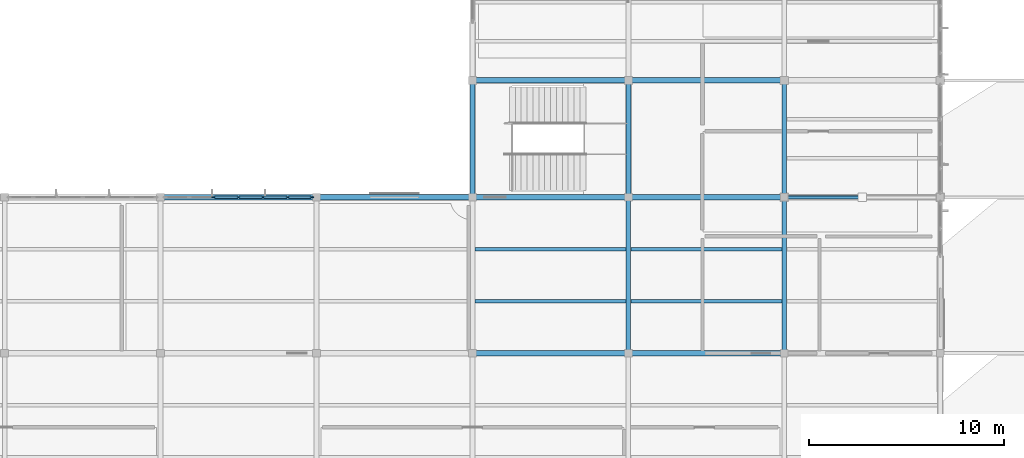
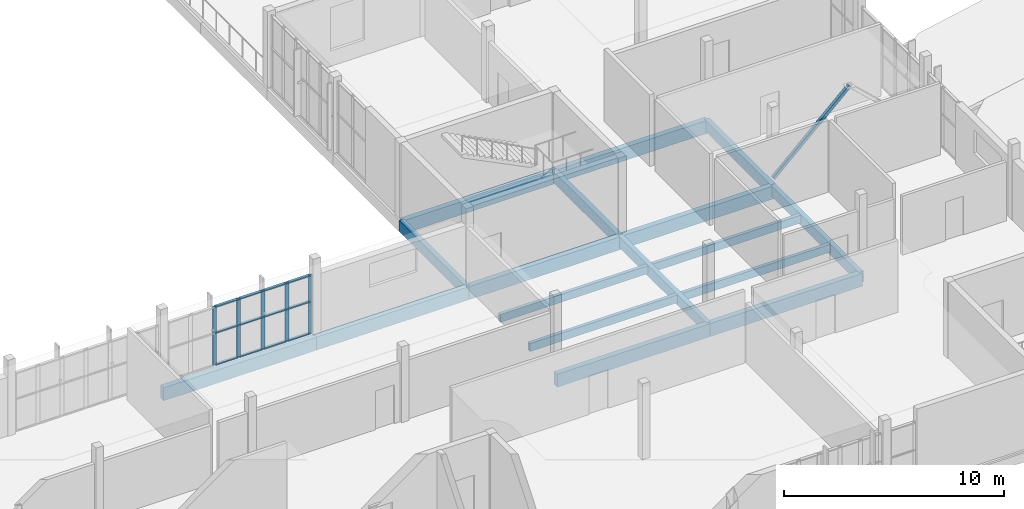
# One storey, part 15 of 45: 18 members, 17 beams, 1 element without a shape of its own.
"""IFC4 building model written with IfcOpenShell, lengths in metres."""

from ifc_helpers import new_model, si_unit, direction, frame, origin, origin_2d, place, context, subcontext, project, spatial, rectangle, hollow_rectangle, extrude, material, layer, layer_set, material_profile, profile_set, type_object, element, aggregate, save


model = new_model("IFC4")

# Units and contexts
model_context = context("Model", 3, precision=1e-05, world=origin(), true_north=direction((0.0, 1.0)))
body_context = subcontext(model_context, "Body", "Model", "MODEL_VIEW")
ifc_project = project(units=[si_unit("LENGTHUNIT", "METRE"), si_unit("AREAUNIT", "SQUARE_METRE"), si_unit("VOLUMEUNIT", "CUBIC_METRE"), si_unit("PLANEANGLEUNIT", "RADIAN"), si_unit("MASSUNIT", "GRAM", prefix="KILO")], contexts=[model_context])

# Site, building, storey
site_placement = place(None, origin())
site = spatial("IfcSite", under=ifc_project, at=site_placement, CompositionType="ELEMENT")
building_placement = place(site_placement, origin())
building = spatial("IfcBuilding", under=site, at=building_placement, Name="Solvane Community Centre", CompositionType="ELEMENT")
storey_placement = place(building_placement, frame((0.0, 0.0, 13.800048828125)))
storey = spatial("IfcBuildingStorey", under=building, at=storey_placement, Name="L03", CompositionType="ELEMENT", Elevation=13.800048828125)

# Curtain wall, members
ifc_material_1 = material(Name="Anodised bronze aluminium AW-6063 T6", Category="aluminium")
ifc_layer = layer(ifc_material_1, 0.199951171875)
ifc_layer_set = layer_set([ifc_layer], Name="Anodised bronze aluminium AW-6063 T6")
curtain_wall_type = type_object("IfcCurtainWallType", Name="Courtyard Cloister Curtain Wall [76x33dm]", PredefinedType="NOTDEFINED", material=ifc_layer_set)
curtain_wall_placement = place(storey_placement, origin())
curtain_wall = element("IfcCurtainWall", 1, at=curtain_wall_placement, inside=storey, type_object=curtain_wall_type, Name="Curtain Wall CW-L03-1002_300-224", PredefinedType="NOTDEFINED")
ifc_material_profile_1 = material_profile(ifc_material_1, rectangle(XDim=0.06005859375, YDim=0.199951171875, at=origin_2d()), Name="CW-M 60x200")
ifc_profile_set_1 = profile_set([ifc_material_profile_1], Name="Anodised bronze aluminium AW-6063 T6")
member_type_1 = type_object("IfcMemberType", Name="Cloister Mullion 60x200", PredefinedType="MULLION", material=ifc_profile_set_1)
member_1_placement = place(storey_placement, frame((102.73828125, 30.0, 0.0), z_axis=(0.0, 0.0, 1.0), x_axis=(0.0, 1.0, 0.0)))
member_1 = element("IfcMember", 2, at=member_1_placement, type_object=member_type_1, Name="CW03-76x33 mullion 3", PredefinedType="MULLION", context=body_context, shape_type="SweptSolid", body=[
    extrude(rectangle(XDim=0.06005859375, YDim=0.199951171875, at=origin_2d()), origin(), (0.0, 0.0, 1.0), 3.264892578125),
])
member_2_placement = place(storey_placement, frame((104.0, 30.0, 0.0), z_axis=(0.0, 0.0, 1.0), x_axis=(0.0, 1.0, 0.0)))
member_2 = element("IfcMember", 3, at=member_2_placement, type_object=member_type_1, Name="CW03-76x33 mullion 4", PredefinedType="MULLION", context=body_context, shape_type="SweptSolid", body=[
    extrude(rectangle(XDim=0.06005859375, YDim=0.199951171875, at=origin_2d()), origin(), (0.0, 0.0, 1.0), 3.264892578125),
])
member_3_placement = place(storey_placement, frame((105.26171875, 30.0, 0.0), z_axis=(0.0, 0.0, 1.0), x_axis=(0.0, 1.0, 0.0)))
member_3 = element("IfcMember", 4, at=member_3_placement, type_object=member_type_1, Name="CW03-76x33 mullion 5", PredefinedType="MULLION", context=body_context, shape_type="SweptSolid", body=[
    extrude(rectangle(XDim=0.06005859375, YDim=0.199951171875, at=origin_2d()), origin(), (0.0, 0.0, 1.0), 3.264892578125),
])
member_4_placement = place(storey_placement, frame((106.5234375, 30.0, 0.0), z_axis=(0.0, 0.0, 1.0), x_axis=(0.0, 1.0, 0.0)))
member_4 = element("IfcMember", 5, at=member_4_placement, type_object=member_type_1, Name="CW03-76x33 mullion 6", PredefinedType="MULLION", context=body_context, shape_type="SweptSolid", body=[
    extrude(rectangle(XDim=0.06005859375, YDim=0.199951171875, at=origin_2d()), origin(), (0.0, 0.0, 1.0), 3.264892578125),
])
member_5_placement = place(storey_placement, frame((107.7548828125, 30.0, 0.0), z_axis=(0.0, 0.0, 1.0), x_axis=(0.0, 1.0, 0.0)))
member_5 = element("IfcMember", 6, at=member_5_placement, type_object=member_type_1, Name="CW03-76x33 mullion 7", PredefinedType="MULLION", context=body_context, shape_type="SweptSolid", body=[
    extrude(rectangle(XDim=0.06005859375, YDim=0.199951171875, at=origin_2d()), origin(), (0.0, 0.0, 1.0), 3.264892578125),
])
ifc_material_profile_2 = material_profile(ifc_material_1, rectangle(XDim=0.139892578125, YDim=0.06005859375, at=origin_2d()), Name="CW-T 60x140")
ifc_profile_set_2 = profile_set([ifc_material_profile_2], Name="Anodised bronze aluminium AW-6063 T6")
member_type_2 = type_object("IfcMemberType", Name="Cloister Transom 60x140", PredefinedType="USERDEFINED", material=ifc_profile_set_2)
member_6_placement = place(storey_placement, frame((102.768310546875, 30.0, 0.030029296875), z_axis=(1.0, 0.0, 0.0), x_axis=(0.0, 1.0, 0.0)))
member_6 = element("IfcMember", 7, at=member_6_placement, type_object=member_type_2, Name="CW03-76x33 transom 3.1", ObjectType="TRANSOM", PredefinedType="USERDEFINED", context=body_context, shape_type="SweptSolid", body=[
    extrude(rectangle(XDim=0.139892578125, YDim=0.06005859375, at=origin_2d()), origin(), (0.0, 0.0, 1.0), 1.20166015625),
])
member_7_placement = place(storey_placement, frame((102.768310546875, 30.0, 1.7958984375), z_axis=(1.0, 0.0, 0.0), x_axis=(0.0, 1.0, 0.0)))
member_7 = element("IfcMember", 8, at=member_7_placement, type_object=member_type_2, Name="CW03-76x33 transom 3.2", ObjectType="TRANSOM", PredefinedType="USERDEFINED", context=body_context, shape_type="SweptSolid", body=[
    extrude(rectangle(XDim=0.139892578125, YDim=0.06005859375, at=origin_2d()), origin(), (0.0, 0.0, 1.0), 1.20166015625),
])
member_8_placement = place(storey_placement, frame((102.768310546875, 30.0, 3.23486328125), z_axis=(1.0, 0.0, 0.0), x_axis=(0.0, 1.0, 0.0)))
member_8 = element("IfcMember", 9, at=member_8_placement, type_object=member_type_2, Name="CW03-76x33 transom 3.3", ObjectType="TRANSOM", PredefinedType="USERDEFINED", context=body_context, shape_type="SweptSolid", body=[
    extrude(rectangle(XDim=0.139892578125, YDim=0.06005859375, at=origin_2d()), origin(), (0.0, 0.0, 1.0), 1.20166015625),
])
member_9_placement = place(storey_placement, frame((104.030029296875, 30.0, 0.030029296875), z_axis=(1.0, 0.0, 0.0), x_axis=(0.0, 1.0, 0.0)))
member_9 = element("IfcMember", 10, at=member_9_placement, type_object=member_type_2, Name="CW03-76x33 transom 4.1", ObjectType="TRANSOM", PredefinedType="USERDEFINED", context=body_context, shape_type="SweptSolid", body=[
    extrude(rectangle(XDim=0.139892578125, YDim=0.06005859375, at=origin_2d()), origin(), (0.0, 0.0, 1.0), 1.20166015625),
])
member_10_placement = place(storey_placement, frame((104.030029296875, 30.0, 1.7958984375), z_axis=(1.0, 0.0, 0.0), x_axis=(0.0, 1.0, 0.0)))
member_10 = element("IfcMember", 11, at=member_10_placement, type_object=member_type_2, Name="CW03-76x33 transom 4.2", ObjectType="TRANSOM", PredefinedType="USERDEFINED", context=body_context, shape_type="SweptSolid", body=[
    extrude(rectangle(XDim=0.139892578125, YDim=0.06005859375, at=origin_2d()), origin(), (0.0, 0.0, 1.0), 1.20166015625),
])
member_11_placement = place(storey_placement, frame((104.030029296875, 30.0, 3.23486328125), z_axis=(1.0, 0.0, 0.0), x_axis=(0.0, 1.0, 0.0)))
member_11 = element("IfcMember", 12, at=member_11_placement, type_object=member_type_2, Name="CW03-76x33 transom 4.3", ObjectType="TRANSOM", PredefinedType="USERDEFINED", context=body_context, shape_type="SweptSolid", body=[
    extrude(rectangle(XDim=0.139892578125, YDim=0.06005859375, at=origin_2d()), origin(), (0.0, 0.0, 1.0), 1.20166015625),
])
member_12_placement = place(storey_placement, frame((105.291748046875, 30.0, 0.030029296875), z_axis=(1.0, 0.0, 0.0), x_axis=(0.0, 1.0, 0.0)))
member_12 = element("IfcMember", 13, at=member_12_placement, type_object=member_type_2, Name="CW03-76x33 transom 5.1", ObjectType="TRANSOM", PredefinedType="USERDEFINED", context=body_context, shape_type="SweptSolid", body=[
    extrude(rectangle(XDim=0.139892578125, YDim=0.06005859375, at=origin_2d()), origin(), (0.0, 0.0, 1.0), 1.20166015625),
])
member_13_placement = place(storey_placement, frame((105.291748046875, 30.0, 1.7958984375), z_axis=(1.0, 0.0, 0.0), x_axis=(0.0, 1.0, 0.0)))
member_13 = element("IfcMember", 14, at=member_13_placement, type_object=member_type_2, Name="CW03-76x33 transom 5.2", ObjectType="TRANSOM", PredefinedType="USERDEFINED", context=body_context, shape_type="SweptSolid", body=[
    extrude(rectangle(XDim=0.139892578125, YDim=0.06005859375, at=origin_2d()), origin(), (0.0, 0.0, 1.0), 1.20166015625),
])
member_14_placement = place(storey_placement, frame((105.291748046875, 30.0, 3.23486328125), z_axis=(1.0, 0.0, 0.0), x_axis=(0.0, 1.0, 0.0)))
member_14 = element("IfcMember", 15, at=member_14_placement, type_object=member_type_2, Name="CW03-76x33 transom 5.3", ObjectType="TRANSOM", PredefinedType="USERDEFINED", context=body_context, shape_type="SweptSolid", body=[
    extrude(rectangle(XDim=0.139892578125, YDim=0.06005859375, at=origin_2d()), origin(), (0.0, 0.0, 1.0), 1.20166015625),
])
member_15_placement = place(storey_placement, frame((106.55322265625, 30.0, 0.030029296875), z_axis=(1.0, 0.0, 0.0), x_axis=(0.0, 1.0, 0.0)))
member_15 = element("IfcMember", 16, at=member_15_placement, type_object=member_type_2, Name="CW03-76x33 transom 6.1", ObjectType="TRANSOM", PredefinedType="USERDEFINED", context=body_context, shape_type="SweptSolid", body=[
    extrude(rectangle(XDim=0.139892578125, YDim=0.06005859375, at=origin_2d()), origin(), (0.0, 0.0, 1.0), 1.171875),
])
member_16_placement = place(storey_placement, frame((106.55322265625, 30.0, 1.7958984375), z_axis=(1.0, 0.0, 0.0), x_axis=(0.0, 1.0, 0.0)))
member_16 = element("IfcMember", 17, at=member_16_placement, type_object=member_type_2, Name="CW03-76x33 transom 6.2", ObjectType="TRANSOM", PredefinedType="USERDEFINED", context=body_context, shape_type="SweptSolid", body=[
    extrude(rectangle(XDim=0.139892578125, YDim=0.06005859375, at=origin_2d()), origin(), (0.0, 0.0, 1.0), 1.171875),
])
member_17_placement = place(storey_placement, frame((106.55322265625, 30.0, 3.23486328125), z_axis=(1.0, 0.0, 0.0), x_axis=(0.0, 1.0, 0.0)))
member_17 = element("IfcMember", 18, at=member_17_placement, type_object=member_type_2, Name="CW03-76x33 transom 6.3", ObjectType="TRANSOM", PredefinedType="USERDEFINED", context=body_context, shape_type="SweptSolid", body=[
    extrude(rectangle(XDim=0.139892578125, YDim=0.06005859375, at=origin_2d()), origin(), (0.0, 0.0, 1.0), 1.171875),
])
aggregate(curtain_wall, [member_1, member_2, member_3, member_4, member_5, member_6, member_7, member_8, member_9, member_10, member_11, member_12, member_13, member_14, member_15, member_16, member_17])

# Beams
ifc_material_2 = material(Name="Glulam GL28h", Category="wood")
ifc_material_profile_3 = material_profile(ifc_material_2, rectangle(XDim=0.25, YDim=0.6201171875, at=origin_2d()), Name="GL28h 250x620")
ifc_profile_set_3 = profile_set([ifc_material_profile_3], Name="Glulam GL28h")
beam_type_1 = type_object("IfcBeamType", Name="Glulam Bay Beam 250x620", PredefinedType="BEAM", material=ifc_profile_set_3)
for number, where, z_axis, x_axis, name in (
    (19, (116.0, 30.0, -0.530029296875), (0.0, 1.0, 0.0), (-1.0, 0.0, 0.0), "Beam BM-L03-1160_300-1160_360"),
    (20, (124.0, 30.0, -0.530029296875), (0.0, 1.0, 0.0), (-1.0, 0.0, 0.0), "Beam BM-L03-1240_300-1240_360"),
    (21, (132.0, 30.0, -0.530029296875), (0.0, 1.0, 0.0), (-1.0, 0.0, 0.0), "Beam BM-L03-1320_300-1320_360"),
):
    element("IfcBeam", number, at=place(storey_placement, frame(where, z_axis=z_axis, x_axis=x_axis)), inside=storey, type_object=beam_type_1, Name=name, PredefinedType="BEAM", context=body_context, shape_type="SweptSolid", body=[
        extrude(rectangle(XDim=0.25, YDim=0.6201171875, at=origin_2d()), origin(), (0.0, 0.0, 1.0), 6.0),
    ])
ifc_material_profile_4 = material_profile(ifc_material_2, rectangle(XDim=0.239990234375, YDim=0.60009765625, at=origin_2d()), Name="GL28h 240x600")
ifc_profile_set_4 = profile_set([ifc_material_profile_4], Name="Glulam GL28h")
beam_type_2 = type_object("IfcBeamType", Name="Glulam Floor Beam 240x600", PredefinedType="BEAM", material=ifc_profile_set_4)
for number, where, z_axis, x_axis, name in (
    (22, (124.0, 22.0, -0.52001953125), (0.0, 1.0, 0.0), (-1.0, 0.0, 0.0), "Beam BM-L03-1240_220-1240_300"),
    (23, (132.0, 22.0, -0.52001953125), (0.0, 1.0, 0.0), (-1.0, 0.0, 0.0), "Beam BM-L03-1320_220-1320_300"),
):
    element("IfcBeam", number, at=place(storey_placement, frame(where, z_axis=z_axis, x_axis=x_axis)), inside=storey, type_object=beam_type_2, Name=name, PredefinedType="BEAM", context=body_context, shape_type="SweptSolid", body=[
        extrude(rectangle(XDim=0.239990234375, YDim=0.60009765625, at=origin_2d()), origin(), (0.0, 0.0, 1.0), 8.0),
    ])
ifc_material_profile_5 = material_profile(ifc_material_2, rectangle(XDim=0.179931640625, YDim=0.43994140625, at=origin_2d()), Name="GL28h 180x440")
ifc_profile_set_5 = profile_set([ifc_material_profile_5], Name="Glulam GL28h")
beam_type_3 = type_object("IfcBeamType", Name="Glulam Floor Joist 180x440", PredefinedType="JOIST", material=ifc_profile_set_5)
for number, where, z_axis, x_axis, name in (
    (24, (116.1298828125, 24.666748046875, -0.43994140625), (1.0, 0.0, 0.0), (0.0, 1.0, 0.0), "Beam BM-L03-1161_247-1239_247"),
    (25, (116.1298828125, 27.333251953125, -0.43994140625), (1.0, 0.0, 0.0), (0.0, 1.0, 0.0), "Beam BM-L03-1161_273-1239_273"),
    (26, (124.1298828125, 24.666748046875, -0.43994140625), (1.0, 0.0, 0.0), (0.0, 1.0, 0.0), "Beam BM-L03-1241_247-1319_247"),
    (27, (124.1298828125, 27.333251953125, -0.43994140625), (1.0, 0.0, 0.0), (0.0, 1.0, 0.0), "Beam BM-L03-1241_273-1319_273"),
):
    element("IfcBeam", number, at=place(storey_placement, frame(where, z_axis=z_axis, x_axis=x_axis)), inside=storey, type_object=beam_type_3, Name=name, PredefinedType="JOIST", context=body_context, shape_type="SweptSolid", body=[
        extrude(rectangle(XDim=0.179931640625, YDim=0.43994140625, at=origin_2d()), origin(), (0.0, 0.0, 1.0), 7.740234375),
    ])
ifc_material_profile_6 = material_profile(ifc_material_2, rectangle(XDim=0.280029296875, YDim=0.719970703125, at=origin_2d()), Name="GL28h 280x720")
ifc_profile_set_6 = profile_set([ifc_material_profile_6], Name="Glulam GL28h")
beam_type_4 = type_object("IfcBeamType", Name="Glulam Long-Span Girder 280x720", PredefinedType="USERDEFINED", material=ifc_profile_set_6)
for number, where, z_axis, x_axis, name in (
    (28, (116.0, 22.0, -0.580078125), (1.0, 0.0, 0.0), (0.0, 1.0, 0.0), "Beam BM-L03-1160_220-1240_220"),
    (29, (124.0, 22.0, -0.580078125), (1.0, 0.0, 0.0), (0.0, 1.0, 0.0), "Beam BM-L03-1240_220-1320_220"),
    (30, (100.0, 30.0, -0.580078125), (1.0, 0.0, 0.0), (0.0, 1.0, 0.0), "Beam BM-L03-1000_300-1080_300"),
    (31, (108.0, 30.0, -0.580078125), (1.0, 0.0, 0.0), (0.0, 1.0, 0.0), "Beam BM-L03-1080_300-1160_300"),
    (32, (116.0, 30.0, -0.580078125), (1.0, 0.0, 0.0), (0.0, 1.0, 0.0), "Beam BM-L03-1160_300-1240_300"),
    (33, (124.0, 30.0, -0.580078125), (1.0, 0.0, 0.0), (0.0, 1.0, 0.0), "Beam BM-L03-1240_300-1320_300"),
    (34, (116.0, 36.0, -0.580078125), (1.0, 0.0, 0.0), (0.0, 1.0, 0.0), "Beam BM-L03-1160_360-1240_360"),
    (35, (124.0, 36.0, -0.580078125), (1.0, 0.0, 0.0), (0.0, 1.0, 0.0), "Beam BM-L03-1240_360-1320_360"),
):
    element("IfcBeam", number, at=place(storey_placement, frame(where, z_axis=z_axis, x_axis=x_axis)), inside=storey, type_object=beam_type_4, Name=name, ObjectType="GIRDER", PredefinedType="USERDEFINED", context=body_context, shape_type="SweptSolid", body=[
        extrude(rectangle(XDim=0.280029296875, YDim=0.719970703125, at=origin_2d()), origin(), (0.0, 0.0, 1.0), 8.0),
    ])

# Member
ifc_material_3 = material(Name="Steel ASTM A572 Grade 50", Category="steel")
ifc_material_profile_7 = material_profile(ifc_material_3, hollow_rectangle(XDim=0.177734375, YDim=0.177734375, WallThickness=0.009521484375, InnerFilletRadius=0.009521484375, OuterFilletRadius=0.01904296875, at=origin_2d()), Name="HSS 178x178x9.5")
ifc_profile_set_7 = profile_set([ifc_material_profile_7], Name="Steel ASTM A572 Grade 50")
member_type_3 = type_object("IfcMemberType", Name="Upper Timber Frame Brace HSS178", PredefinedType="BRACE", material=ifc_profile_set_7)
member_18_placement = place(storey_placement, frame((132.0, 30.0, 0.119873046875), z_axis=(0.730448607788, 0.0, 0.68296766496), x_axis=(0.0, 1.0, 0.0)))
element("IfcMember", 36, at=member_18_placement, inside=storey, type_object=member_type_3, Name="Member MEM-L03-0386", PredefinedType="BRACE", context=body_context, shape_type="SweptSolid", body=[
    extrude(hollow_rectangle(XDim=0.177734375, YDim=0.177734375, WallThickness=0.009521484375, InnerFilletRadius=0.009521484375, OuterFilletRadius=0.01904296875, at=origin_2d()), origin(), (0.0, 0.0, 1.0), 5.47607421875),
])

save(model, "model.ifc")
